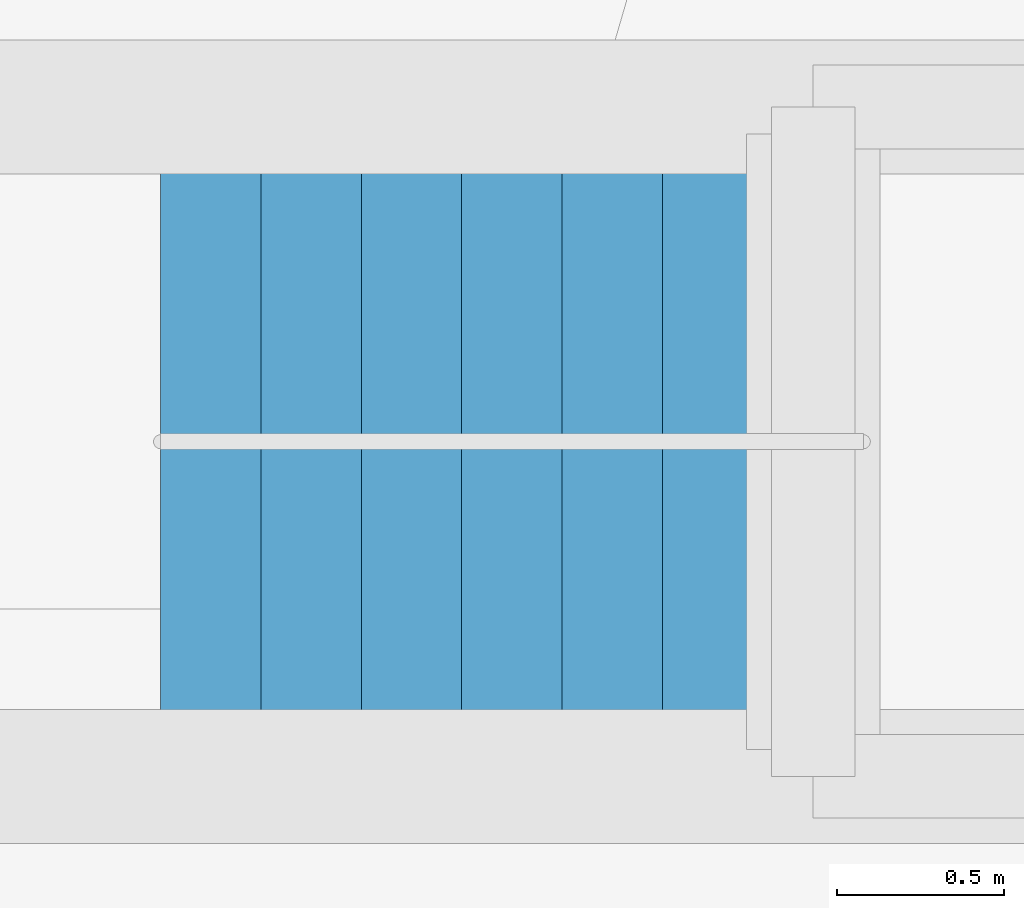
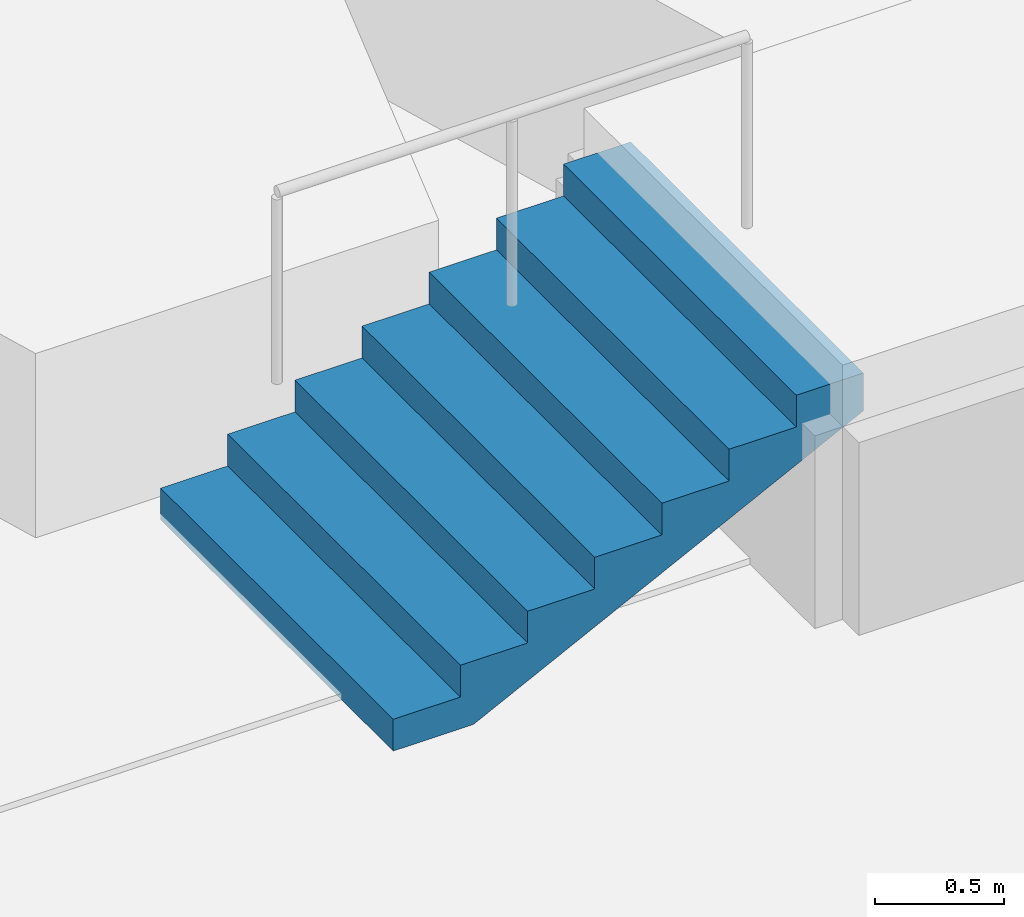
# One storey, part 74 of 90: 1 stair flight, 1 element without a shape of its own.
"""IFC4 building model written with IfcOpenShell, lengths in metres."""

import ifcopenshell
import ifcopenshell.guid

model = None  # the IFC model being written
_history = None  # IfcOwnerHistory: only IFC2X3 demands one
_inside = {}  # id of a spatial element -> (the spatial element, [elements in it])
_under = {}  # id of a project, library or spatial element -> (it, [spatial elements below it])
_declared = {}  # id of a project -> (the project, [libraries it declares])
_typed = {}  # id of a type object -> (the type object, [elements of that type])
_made_of = {}  # id of a material, layer set ... -> (it, [elements and type objects made of it])


def new_model(schema):
    """Start an empty IFC model of exactly this schema.

    Asked for "IFC4X3", IfcOpenShell would pick the latest addendum, in which some entities
    have other attributes; the version numbers below select the first issue.
    IFC2X3 requires an IfcOwnerHistory on every rooted entity: one is made here for all.
    """
    global model, _history
    if schema == "IFC4X3":
        model = ifcopenshell.file(schema_version=(4, 3, 0, 0))
    else:
        model = ifcopenshell.file(schema=schema)
    _inside.clear()
    _under.clear()
    _declared.clear()
    _typed.clear()
    _made_of.clear()
    _history = None
    if model.schema == "IFC2X3":
        org = make("IfcOrganization", Name="unknown")
        user = make(
            "IfcPersonAndOrganization",
            ThePerson=make("IfcPerson", FamilyName="unknown"),
            TheOrganization=org,
        )
        app = make(
            "IfcApplication",
            ApplicationDeveloper=org,
            Version="unknown",
            ApplicationFullName="unknown",
            ApplicationIdentifier="unknown",
        )
        _history = make(
            "IfcOwnerHistory",
            OwningUser=user,
            OwningApplication=app,
            ChangeAction="ADDED",
            CreationDate=0,
        )
    return model


def make(cls, **values):
    """One entity of the class cls with the attributes given. An attribute that is None is left unset."""
    return model.create_entity(
        cls, **{name: value for name, value in values.items() if value is not None}
    )


def rooted(cls, **values):
    """An entity with a GlobalId (a new one), such as an element, a storey or a relation."""
    return make(cls, GlobalId=ifcopenshell.guid.new(), OwnerHistory=_history, **values)


def si_unit(unit_type, name, prefix=None):
    """IfcSIUnit, for example si_unit("LENGTHUNIT", "METRE", prefix="MILLI")."""
    return make("IfcSIUnit", UnitType=unit_type, Prefix=prefix, Name=name)


def assignment(units):
    """IfcUnitAssignment: the units of a project."""
    return None if units is None else make("IfcUnitAssignment", Units=units)


def point(xyz):
    """IfcCartesianPoint."""
    return None if xyz is None else make("IfcCartesianPoint", Coordinates=xyz)


def direction(xyz):
    """IfcDirection."""
    return None if xyz is None else make("IfcDirection", DirectionRatios=xyz)


def frame(location, z_axis=None, x_axis=None):
    """IfcAxis2Placement3D, a coordinate frame: its origin and axes. An axis left out is left unset."""
    return make(
        "IfcAxis2Placement3D",
        Location=point(location),
        Axis=direction(z_axis),
        RefDirection=direction(x_axis),
    )


def origin():
    """The frame at (0, 0, 0) with its axes left unset."""
    return frame((0.0, 0.0, 0.0))


def place(relative_to, where):
    """IfcLocalPlacement: puts the frame where relative to a parent placement (None: the world)."""
    return make(
        "IfcLocalPlacement", PlacementRelTo=relative_to, RelativePlacement=where
    )


def context(
    kind, dimensions, precision=None, world=None, true_north=None, identifier=None
):
    """IfcGeometricRepresentationContext, for example the 3D "Model" context."""
    return make(
        "IfcGeometricRepresentationContext",
        ContextIdentifier=identifier,
        ContextType=kind,
        CoordinateSpaceDimension=dimensions,
        Precision=precision,
        WorldCoordinateSystem=world,
        TrueNorth=true_north,
    )


def subcontext(parent, identifier, kind, view, scale=None):
    """IfcGeometricRepresentationSubContext, for example "Body" below "Model"."""
    return make(
        "IfcGeometricRepresentationSubContext",
        ContextIdentifier=identifier,
        ContextType=kind,
        ParentContext=parent,
        TargetScale=scale,
        TargetView=view,
    )


def project(units=None, contexts=None):
    """IfcProject with its units and contexts."""
    return rooted(
        "IfcProject",
        Name="project",
        RepresentationContexts=contexts,
        UnitsInContext=assignment(units),
    )


def spatial(cls, under=None, at=None, **own):
    """A site, building, storey or space (cls), placed at a placement, below another one or the project."""
    s = rooted(cls, ObjectPlacement=at, **own)
    if under is not None:
        _under.setdefault(under.id(), (under, []))[1].append(s)
    return s


def point_list(points):
    """IfcCartesianPointList2D or 3D."""
    cls = (
        "IfcCartesianPointList2D" if len(points[0]) == 2 else "IfcCartesianPointList3D"
    )
    return make(cls, CoordList=points)


def triangles(points, corners, closed=None, point_numbers=None):
    """IfcTriangulatedFaceSet: each triangle names its three corners, points numbered from 1."""
    return make(
        "IfcTriangulatedFaceSet",
        Coordinates=point_list(points),
        Closed=closed,
        CoordIndex=corners,
        PnIndex=point_numbers,
    )


def shape(context_of_items, identifier, shape_type, items):
    """IfcShapeRepresentation: the items that make up one representation, for example the "Body"."""
    return make(
        "IfcShapeRepresentation",
        ContextOfItems=context_of_items,
        RepresentationIdentifier=identifier,
        RepresentationType=shape_type,
        Items=items,
    )


def material(Name=None, Category=None):
    """IfcMaterial."""
    return make("IfcMaterial", Name=Name, Category=Category)


def layer(
    of_material, thickness, ventilated=None, Name=None, Category=None, Priority=None
):
    """IfcMaterialLayer: one layer of a wall or slab, of a material (None: an air gap)."""
    return make(
        "IfcMaterialLayer",
        Material=of_material,
        LayerThickness=thickness,
        IsVentilated=ventilated,
        Name=Name,
        Category=Category,
        Priority=Priority,
    )


def layer_set(layers, Name=None):
    """IfcMaterialLayerSet."""
    return make("IfcMaterialLayerSet", MaterialLayers=layers, LayerSetName=Name)


def made_of(thing, what):
    """Note that an element or type object is made of a material, layer set ...; save() writes the relation."""
    if what is not None:
        _made_of.setdefault(what.id(), (what, []))[1].append(thing)
    return thing


def type_object(cls, material=None, **own):
    """A type object (cls), such as IfcWallType, which elements share."""
    return made_of(rooted(cls, **own), material)


def element(
    cls,
    number,
    at=None,
    inside=None,
    cuts=None,
    type_object=None,
    material=None,
    context=None,
    identifier="Body",
    shape_type=None,
    held_by="IfcProductDefinitionShape",
    body=None,
    shapes=None,
    **own,
):
    """One element of the class cls, such as IfcWall. Its Tag is "e" and its number.

    at: its placement. inside: the storey or other place that contains it. cuts: it is an
    opening in that element (IfcRelVoidsElement). A single representation is given by context,
    identifier, shape_type and body (its items); several are given by shapes. held_by: the class
    of the entity that holds the representations. save() writes the other relations.
    """
    e = rooted(cls, Tag="e%d" % number, ObjectPlacement=at, **own)
    if body is not None:
        shapes = [shape(context, identifier, shape_type, body)]
    if shapes is not None:
        e.Representation = make(held_by, Representations=shapes)
    if inside is not None:
        _inside.setdefault(inside.id(), (inside, []))[1].append(e)
    if cuts is not None:
        rooted(
            "IfcRelVoidsElement", RelatingBuildingElement=cuts, RelatedOpeningElement=e
        )
    if type_object is not None:
        _typed.setdefault(type_object.id(), (type_object, []))[1].append(e)
    return made_of(e, material)


def aggregate(whole, parts):
    """IfcRelAggregates: a whole, such as a stair, and the parts it consists of."""
    return rooted("IfcRelAggregates", RelatingObject=whole, RelatedObjects=parts)


def save(model, path):
    """Write the relations noted so far, then the file.

    IfcRelAggregates (storeys below a building ...), IfcRelContainedInSpatialStructure (elements
    in a storey), IfcRelDefinesByType, IfcRelAssociatesMaterial and IfcRelDeclares: one each for
    every whole, place, type object, material and project.
    """
    for whole, parts in _under.values():
        aggregate(whole, parts)
    for where, things in _inside.values():
        rooted(
            "IfcRelContainedInSpatialStructure",
            RelatedElements=things,
            RelatingStructure=where,
        )
    for kind, things in _typed.values():
        rooted("IfcRelDefinesByType", RelatedObjects=things, RelatingType=kind)
    for what, things in _made_of.values():
        rooted("IfcRelAssociatesMaterial", RelatedObjects=things, RelatingMaterial=what)
    for by, libraries in _declared.values():
        rooted("IfcRelDeclares", RelatingContext=by, RelatedDefinitions=libraries)
    model.write(path)


model = new_model("IFC4")

# Units and contexts
model_context = context("Model", 3, precision=1e-05, world=origin(), true_north=direction((0.0, 1.0)))
body_context = subcontext(model_context, "Body", "Model", "MODEL_VIEW")
ifc_project = project(units=[si_unit("LENGTHUNIT", "METRE"), si_unit("AREAUNIT", "SQUARE_METRE"), si_unit("VOLUMEUNIT", "CUBIC_METRE"), si_unit("PLANEANGLEUNIT", "RADIAN"), si_unit("MASSUNIT", "GRAM", prefix="KILO")], contexts=[model_context])

# Site, building, storey
site_placement = place(None, origin())
site = spatial("IfcSite", under=ifc_project, at=site_placement, CompositionType="ELEMENT")
building_placement = place(site_placement, origin())
building = spatial("IfcBuilding", under=site, at=building_placement, Name="Solvikara Media Centre", CompositionType="ELEMENT")
storey_placement = place(building_placement, origin())
storey = spatial("IfcBuildingStorey", under=building, at=storey_placement, Name="L00", CompositionType="ELEMENT", Elevation=0.0)

# Stair, stair flight
ifc_material = material(Name="Concrete fc' 35 MPa (C35/45)", Category="concrete")
stair_type = type_object("IfcStairType", Name="SR-07", PredefinedType="STRAIGHT_RUN_STAIR", material=ifc_material)
stair_placement = place(storey_placement, origin())
stair = element("IfcStair", 1, at=stair_placement, inside=storey, type_object=stair_type, Name="ST-GC-AISLE", PredefinedType="STRAIGHT_RUN_STAIR")
ifc_layer = layer(ifc_material, 0.159912109375)
ifc_layer_set = layer_set([ifc_layer], Name="Concrete fc' 35 MPa (C35/45)")
stair_flight_type = type_object("IfcStairFlightType", Name="SF-07", PredefinedType="STRAIGHT", material=ifc_layer_set)
stair_flight_placement = place(storey_placement, frame((12.60009765625, 4.0, 0.0), z_axis=(0.0, 0.0, 1.0), x_axis=(1.0, 0.0, 0.0)))
stair_flight = element("IfcStairFlight", 2, at=stair_flight_placement, type_object=stair_flight_type, Name="ST-GC-AISLE-F1", NumberOfRisers=8, NumberOfTreads=7, PredefinedType="STRAIGHT", RiserHeight=0.15, TreadLength=0.3, context=body_context, shape_type="Tessellation", body=[
    triangles([(0.357666015625, -0.9000244140625, 0.0), (2.10009765625, -0.9000244140625, 0.87109375), (2.10009765625, -0.9000244140625, 1.050048828125), (1.800048828125, -0.9000244140625, 1.050048828125), (1.800048828125, -0.9000244140625, 0.89990234375), (1.5, -0.9000244140625, 0.89990234375), (1.5, -0.9000244140625, 0.75), (1.199951171875, -0.9000244140625, 0.75), (1.199951171875, -0.9000244140625, 0.60009765625), (0.89990234375, -0.9000244140625, 0.60009765625), (0.89990234375, -0.9000244140625, 0.449951171875), (0.60009765625, -0.9000244140625, 0.449951171875), (0.60009765625, -0.9000244140625, 0.300048828125), (0.300048828125, -0.9000244140625, 0.300048828125), (0.300048828125, -0.9000244140625, 0.14990234375), (0.0, -0.9000244140625, 0.14990234375), (0.0, -0.9000244140625, 0.0), (0.357666015625, -0.675018310546875, 0.0), (2.10009765625, -0.675018310546875, 0.87109375), (2.10009765625, -0.675018310546875, 1.050048828125), (1.800048828125, -0.675018310546875, 1.050048828125), (1.800048828125, -0.675018310546875, 0.89990234375), (1.5, -0.675018310546875, 0.89990234375), (1.5, -0.675018310546875, 0.75), (1.199951171875, -0.675018310546875, 0.75), (1.199951171875, -0.675018310546875, 0.60009765625), (0.89990234375, -0.675018310546875, 0.60009765625), (0.89990234375, -0.675018310546875, 0.449951171875), (0.60009765625, -0.675018310546875, 0.449951171875), (0.60009765625, -0.675018310546875, 0.300048828125), (0.300048828125, -0.675018310546875, 0.300048828125), (0.300048828125, -0.675018310546875, 0.14990234375), (0.0, -0.675018310546875, 0.14990234375), (0.0, -0.675018310546875, 0.0), (0.357666015625, -0.45001220703125, 0.0), (2.10009765625, -0.45001220703125, 0.87109375), (2.10009765625, -0.45001220703125, 1.050048828125), (1.800048828125, -0.45001220703125, 1.050048828125), (1.800048828125, -0.45001220703125, 0.89990234375), (1.5, -0.45001220703125, 0.89990234375), (1.5, -0.45001220703125, 0.75), (1.199951171875, -0.45001220703125, 0.75), (1.199951171875, -0.45001220703125, 0.60009765625), (0.89990234375, -0.45001220703125, 0.60009765625), (0.89990234375, -0.45001220703125, 0.449951171875), (0.60009765625, -0.45001220703125, 0.449951171875), (0.60009765625, -0.45001220703125, 0.300048828125), (0.300048828125, -0.45001220703125, 0.300048828125), (0.300048828125, -0.45001220703125, 0.14990234375), (0.0, -0.45001220703125, 0.14990234375), (0.0, -0.45001220703125, 0.0), (0.357666015625, -0.225006103515625, 0.0), (2.10009765625, -0.225006103515625, 0.87109375), (2.10009765625, -0.225006103515625, 1.050048828125), (1.800048828125, -0.225006103515625, 1.050048828125), (1.800048828125, -0.225006103515625, 0.89990234375), (1.5, -0.225006103515625, 0.89990234375), (1.5, -0.225006103515625, 0.75), (1.199951171875, -0.225006103515625, 0.75), (1.199951171875, -0.225006103515625, 0.60009765625), (0.89990234375, -0.225006103515625, 0.60009765625), (0.89990234375, -0.225006103515625, 0.449951171875), (0.60009765625, -0.225006103515625, 0.449951171875), (0.60009765625, -0.225006103515625, 0.300048828125), (0.300048828125, -0.225006103515625, 0.300048828125), (0.300048828125, -0.225006103515625, 0.14990234375), (0.0, -0.225006103515625, 0.14990234375), (0.0, -0.225006103515625, 0.0), (0.357666015625, 0.0, 0.0), (2.10009765625, 0.0, 0.87109375), (2.10009765625, 0.0, 1.050048828125), (1.800048828125, 0.0, 1.050048828125), (1.800048828125, 0.0, 0.89990234375), (1.5, 0.0, 0.89990234375), (1.5, 0.0, 0.75), (1.199951171875, 0.0, 0.75), (1.199951171875, 0.0, 0.60009765625), (0.89990234375, 0.0, 0.60009765625), (0.89990234375, 0.0, 0.449951171875), (0.60009765625, 0.0, 0.449951171875), (0.60009765625, 0.0, 0.300048828125), (0.300048828125, 0.0, 0.300048828125), (0.300048828125, 0.0, 0.14990234375), (0.0, 0.0, 0.14990234375), (0.0, 0.0, 0.0), (0.357666015625, 0.225006103515625, 0.0), (2.10009765625, 0.225006103515625, 0.87109375), (2.10009765625, 0.225006103515625, 1.050048828125), (1.800048828125, 0.225006103515625, 1.050048828125), (1.800048828125, 0.225006103515625, 0.89990234375), (1.5, 0.225006103515625, 0.89990234375), (1.5, 0.225006103515625, 0.75), (1.199951171875, 0.225006103515625, 0.75), (1.199951171875, 0.225006103515625, 0.60009765625), (0.89990234375, 0.225006103515625, 0.60009765625), (0.89990234375, 0.225006103515625, 0.449951171875), (0.60009765625, 0.225006103515625, 0.449951171875), (0.60009765625, 0.225006103515625, 0.300048828125), (0.300048828125, 0.225006103515625, 0.300048828125), (0.300048828125, 0.225006103515625, 0.14990234375), (0.0, 0.225006103515625, 0.14990234375), (0.0, 0.225006103515625, 0.0), (0.357666015625, 0.45001220703125, 0.0), (2.10009765625, 0.45001220703125, 0.87109375), (2.10009765625, 0.45001220703125, 1.050048828125), (1.800048828125, 0.45001220703125, 1.050048828125), (1.800048828125, 0.45001220703125, 0.89990234375), (1.5, 0.45001220703125, 0.89990234375), (1.5, 0.45001220703125, 0.75), (1.199951171875, 0.45001220703125, 0.75), (1.199951171875, 0.45001220703125, 0.60009765625), (0.89990234375, 0.45001220703125, 0.60009765625), (0.89990234375, 0.45001220703125, 0.449951171875), (0.60009765625, 0.45001220703125, 0.449951171875), (0.60009765625, 0.45001220703125, 0.300048828125), (0.300048828125, 0.45001220703125, 0.300048828125), (0.300048828125, 0.45001220703125, 0.14990234375), (0.0, 0.45001220703125, 0.14990234375), (0.0, 0.45001220703125, 0.0), (0.357666015625, 0.675018310546875, 0.0), (2.10009765625, 0.675018310546875, 0.87109375), (2.10009765625, 0.675018310546875, 1.050048828125), (1.800048828125, 0.675018310546875, 1.050048828125), (1.800048828125, 0.675018310546875, 0.89990234375), (1.5, 0.675018310546875, 0.89990234375), (1.5, 0.675018310546875, 0.75), (1.199951171875, 0.675018310546875, 0.75), (1.199951171875, 0.675018310546875, 0.60009765625), (0.89990234375, 0.675018310546875, 0.60009765625), (0.89990234375, 0.675018310546875, 0.449951171875), (0.60009765625, 0.675018310546875, 0.449951171875), (0.60009765625, 0.675018310546875, 0.300048828125), (0.300048828125, 0.675018310546875, 0.300048828125), (0.300048828125, 0.675018310546875, 0.14990234375), (0.0, 0.675018310546875, 0.14990234375), (0.0, 0.675018310546875, 0.0), (0.357666015625, 0.9000244140625, 0.0), (2.10009765625, 0.9000244140625, 0.87109375), (2.10009765625, 0.9000244140625, 1.050048828125), (1.800048828125, 0.9000244140625, 1.050048828125), (1.800048828125, 0.9000244140625, 0.89990234375), (1.5, 0.9000244140625, 0.89990234375), (1.5, 0.9000244140625, 0.75), (1.199951171875, 0.9000244140625, 0.75), (1.199951171875, 0.9000244140625, 0.60009765625), (0.89990234375, 0.9000244140625, 0.60009765625), (0.89990234375, 0.9000244140625, 0.449951171875), (0.60009765625, 0.9000244140625, 0.449951171875), (0.60009765625, 0.9000244140625, 0.300048828125), (0.300048828125, 0.9000244140625, 0.300048828125), (0.300048828125, 0.9000244140625, 0.14990234375), (0.0, 0.9000244140625, 0.14990234375), (0.0, 0.9000244140625, 0.0), (1.2288818359375, -0.7875213623046875, 0.435546875), (2.10009765625, -0.7875213623046875, 0.9605712890625), (1.9500732421875, -0.7875213623046875, 1.050048828125), (1.800048828125, -0.7875213623046875, 0.9749755859375), (1.6500244140625, -0.7875213623046875, 0.89990234375), (1.5, -0.7875213623046875, 0.824951171875), (1.3499755859375, -0.7875213623046875, 0.75), (1.199951171875, -0.7875213623046875, 0.675048828125), (1.0499267578125, -0.7875213623046875, 0.60009765625), (0.89990234375, -0.7875213623046875, 0.5250244140625), (0.75, -0.7875213623046875, 0.449951171875), (0.60009765625, -0.7875213623046875, 0.375), (0.4500732421875, -0.7875213623046875, 0.300048828125), (0.300048828125, -0.7875213623046875, 0.2249755859375), (0.1500244140625, -0.7875213623046875, 0.14990234375), (0.0, -0.7875213623046875, 0.074951171875), (0.1788330078125, -0.7875213623046875, 0.0), (1.2288818359375, -0.5625152587890625, 0.435546875), (2.10009765625, -0.5625152587890625, 0.9605712890625), (1.9500732421875, -0.5625152587890625, 1.050048828125), (1.800048828125, -0.5625152587890625, 0.9749755859375), (1.6500244140625, -0.5625152587890625, 0.89990234375), (1.5, -0.5625152587890625, 0.824951171875), (1.3499755859375, -0.5625152587890625, 0.75), (1.199951171875, -0.5625152587890625, 0.675048828125), (1.0499267578125, -0.5625152587890625, 0.60009765625), (0.89990234375, -0.5625152587890625, 0.5250244140625), (0.75, -0.5625152587890625, 0.449951171875), (0.60009765625, -0.5625152587890625, 0.375), (0.4500732421875, -0.5625152587890625, 0.300048828125), (0.300048828125, -0.5625152587890625, 0.2249755859375), (0.1500244140625, -0.5625152587890625, 0.14990234375), (0.0, -0.5625152587890625, 0.074951171875), (0.1788330078125, -0.5625152587890625, 0.0), (1.2288818359375, -0.3375091552734375, 0.435546875), (2.10009765625, -0.3375091552734375, 0.9605712890625), (1.9500732421875, -0.3375091552734375, 1.050048828125), (1.800048828125, -0.3375091552734375, 0.9749755859375), (1.6500244140625, -0.3375091552734375, 0.89990234375), (1.5, -0.3375091552734375, 0.824951171875), (1.3499755859375, -0.3375091552734375, 0.75), (1.199951171875, -0.3375091552734375, 0.675048828125), (1.0499267578125, -0.3375091552734375, 0.60009765625), (0.89990234375, -0.3375091552734375, 0.5250244140625), (0.75, -0.3375091552734375, 0.449951171875), (0.60009765625, -0.3375091552734375, 0.375), (0.4500732421875, -0.3375091552734375, 0.300048828125), (0.300048828125, -0.3375091552734375, 0.2249755859375), (0.1500244140625, -0.3375091552734375, 0.14990234375), (0.0, -0.3375091552734375, 0.074951171875), (0.1788330078125, -0.3375091552734375, 0.0), (1.2288818359375, -0.1125030517578125, 0.435546875), (2.10009765625, -0.1125030517578125, 0.9605712890625), (1.9500732421875, -0.1125030517578125, 1.050048828125), (1.800048828125, -0.1125030517578125, 0.9749755859375), (1.6500244140625, -0.1125030517578125, 0.89990234375), (1.5, -0.1125030517578125, 0.824951171875), (1.3499755859375, -0.1125030517578125, 0.75), (1.199951171875, -0.1125030517578125, 0.675048828125), (1.0499267578125, -0.1125030517578125, 0.60009765625), (0.89990234375, -0.1125030517578125, 0.5250244140625), (0.75, -0.1125030517578125, 0.449951171875), (0.60009765625, -0.1125030517578125, 0.375), (0.4500732421875, -0.1125030517578125, 0.300048828125), (0.300048828125, -0.1125030517578125, 0.2249755859375), (0.1500244140625, -0.1125030517578125, 0.14990234375), (0.0, -0.1125030517578125, 0.074951171875), (0.1788330078125, -0.1125030517578125, 0.0), (1.2288818359375, 0.1125030517578125, 0.435546875), (2.10009765625, 0.1125030517578125, 0.9605712890625), (1.9500732421875, 0.1125030517578125, 1.050048828125), (1.800048828125, 0.1125030517578125, 0.9749755859375), (1.6500244140625, 0.1125030517578125, 0.89990234375), (1.5, 0.1125030517578125, 0.824951171875), (1.3499755859375, 0.1125030517578125, 0.75), (1.199951171875, 0.1125030517578125, 0.675048828125), (1.0499267578125, 0.1125030517578125, 0.60009765625), (0.89990234375, 0.1125030517578125, 0.5250244140625), (0.75, 0.1125030517578125, 0.449951171875), (0.60009765625, 0.1125030517578125, 0.375), (0.4500732421875, 0.1125030517578125, 0.300048828125), (0.300048828125, 0.1125030517578125, 0.2249755859375), (0.1500244140625, 0.1125030517578125, 0.14990234375), (0.0, 0.1125030517578125, 0.074951171875), (0.1788330078125, 0.1125030517578125, 0.0), (1.2288818359375, 0.3375091552734375, 0.435546875), (2.10009765625, 0.3375091552734375, 0.9605712890625), (1.9500732421875, 0.3375091552734375, 1.050048828125), (1.800048828125, 0.3375091552734375, 0.9749755859375), (1.6500244140625, 0.3375091552734375, 0.89990234375), (1.5, 0.3375091552734375, 0.824951171875), (1.3499755859375, 0.3375091552734375, 0.75), (1.199951171875, 0.3375091552734375, 0.675048828125), (1.0499267578125, 0.3375091552734375, 0.60009765625), (0.89990234375, 0.3375091552734375, 0.5250244140625), (0.75, 0.3375091552734375, 0.449951171875), (0.60009765625, 0.3375091552734375, 0.375), (0.4500732421875, 0.3375091552734375, 0.300048828125), (0.300048828125, 0.3375091552734375, 0.2249755859375), (0.1500244140625, 0.3375091552734375, 0.14990234375), (0.0, 0.3375091552734375, 0.074951171875), (0.1788330078125, 0.3375091552734375, 0.0), (1.2288818359375, 0.5625152587890625, 0.435546875), (2.10009765625, 0.5625152587890625, 0.9605712890625), (1.9500732421875, 0.5625152587890625, 1.050048828125), (1.800048828125, 0.5625152587890625, 0.9749755859375), (1.6500244140625, 0.5625152587890625, 0.89990234375), (1.5, 0.5625152587890625, 0.824951171875), (1.3499755859375, 0.5625152587890625, 0.75), (1.199951171875, 0.5625152587890625, 0.675048828125), (1.0499267578125, 0.5625152587890625, 0.60009765625), (0.89990234375, 0.5625152587890625, 0.5250244140625), (0.75, 0.5625152587890625, 0.449951171875), (0.60009765625, 0.5625152587890625, 0.375), (0.4500732421875, 0.5625152587890625, 0.300048828125), (0.300048828125, 0.5625152587890625, 0.2249755859375), (0.1500244140625, 0.5625152587890625, 0.14990234375), (0.0, 0.5625152587890625, 0.074951171875), (0.1788330078125, 0.5625152587890625, 0.0), (1.2288818359375, 0.7875213623046875, 0.435546875), (2.10009765625, 0.7875213623046875, 0.9605712890625), (1.9500732421875, 0.7875213623046875, 1.050048828125), (1.800048828125, 0.7875213623046875, 0.9749755859375), (1.6500244140625, 0.7875213623046875, 0.89990234375), (1.5, 0.7875213623046875, 0.824951171875), (1.3499755859375, 0.7875213623046875, 0.75), (1.199951171875, 0.7875213623046875, 0.675048828125), (1.0499267578125, 0.7875213623046875, 0.60009765625), (0.89990234375, 0.7875213623046875, 0.5250244140625), (0.75, 0.7875213623046875, 0.449951171875), (0.60009765625, 0.7875213623046875, 0.375), (0.4500732421875, 0.7875213623046875, 0.300048828125), (0.300048828125, 0.7875213623046875, 0.2249755859375), (0.1500244140625, 0.7875213623046875, 0.14990234375), (0.0, 0.7875213623046875, 0.074951171875), (0.1788330078125, 0.7875213623046875, 0.0)], [[1, 18, 154], [18, 19, 154], [19, 2, 154], [2, 1, 154], [2, 19, 155], [19, 20, 155], [20, 3, 155], [3, 2, 155], [3, 20, 156], [20, 21, 156], [21, 4, 156], [4, 3, 156], [4, 21, 157], [21, 22, 157], [22, 5, 157], [5, 4, 157], [5, 22, 158], [22, 23, 158], [23, 6, 158], [6, 5, 158], [6, 23, 159], [23, 24, 159], [24, 7, 159], [7, 6, 159], [7, 24, 160], [24, 25, 160], [25, 8, 160], [8, 7, 160], [8, 25, 161], [25, 26, 161], [26, 9, 161], [9, 8, 161], [9, 26, 162], [26, 27, 162], [27, 10, 162], [10, 9, 162], [10, 27, 163], [27, 28, 163], [28, 11, 163], [11, 10, 163], [11, 28, 164], [28, 29, 164], [29, 12, 164], [12, 11, 164], [12, 29, 165], [29, 30, 165], [30, 13, 165], [13, 12, 165], [13, 30, 166], [30, 31, 166], [31, 14, 166], [14, 13, 166], [14, 31, 167], [31, 32, 167], [32, 15, 167], [15, 14, 167], [15, 32, 168], [32, 33, 168], [33, 16, 168], [16, 15, 168], [16, 33, 169], [33, 34, 169], [34, 17, 169], [17, 16, 169], [17, 34, 170], [34, 18, 170], [18, 1, 170], [1, 17, 170], [18, 35, 171], [35, 36, 171], [36, 19, 171], [19, 18, 171], [19, 36, 172], [36, 37, 172], [37, 20, 172], [20, 19, 172], [20, 37, 173], [37, 38, 173], [38, 21, 173], [21, 20, 173], [21, 38, 174], [38, 39, 174], [39, 22, 174], [22, 21, 174], [22, 39, 175], [39, 40, 175], [40, 23, 175], [23, 22, 175], [23, 40, 176], [40, 41, 176], [41, 24, 176], [24, 23, 176], [24, 41, 177], [41, 42, 177], [42, 25, 177], [25, 24, 177], [25, 42, 178], [42, 43, 178], [43, 26, 178], [26, 25, 178], [26, 43, 179], [43, 44, 179], [44, 27, 179], [27, 26, 179], [27, 44, 180], [44, 45, 180], [45, 28, 180], [28, 27, 180], [28, 45, 181], [45, 46, 181], [46, 29, 181], [29, 28, 181], [29, 46, 182], [46, 47, 182], [47, 30, 182], [30, 29, 182], [30, 47, 183], [47, 48, 183], [48, 31, 183], [31, 30, 183], [31, 48, 184], [48, 49, 184], [49, 32, 184], [32, 31, 184], [32, 49, 185], [49, 50, 185], [50, 33, 185], [33, 32, 185], [33, 50, 186], [50, 51, 186], [51, 34, 186], [34, 33, 186], [34, 51, 187], [51, 35, 187], [35, 18, 187], [18, 34, 187], [35, 52, 188], [52, 53, 188], [53, 36, 188], [36, 35, 188], [36, 53, 189], [53, 54, 189], [54, 37, 189], [37, 36, 189], [37, 54, 190], [54, 55, 190], [55, 38, 190], [38, 37, 190], [38, 55, 191], [55, 56, 191], [56, 39, 191], [39, 38, 191], [39, 56, 192], [56, 57, 192], [57, 40, 192], [40, 39, 192], [40, 57, 193], [57, 58, 193], [58, 41, 193], [41, 40, 193], [41, 58, 194], [58, 59, 194], [59, 42, 194], [42, 41, 194], [42, 59, 195], [59, 60, 195], [60, 43, 195], [43, 42, 195], [43, 60, 196], [60, 61, 196], [61, 44, 196], [44, 43, 196], [44, 61, 197], [61, 62, 197], [62, 45, 197], [45, 44, 197], [45, 62, 198], [62, 63, 198], [63, 46, 198], [46, 45, 198], [46, 63, 199], [63, 64, 199], [64, 47, 199], [47, 46, 199], [47, 64, 200], [64, 65, 200], [65, 48, 200], [48, 47, 200], [48, 65, 201], [65, 66, 201], [66, 49, 201], [49, 48, 201], [49, 66, 202], [66, 67, 202], [67, 50, 202], [50, 49, 202], [50, 67, 203], [67, 68, 203], [68, 51, 203], [51, 50, 203], [51, 68, 204], [68, 52, 204], [52, 35, 204], [35, 51, 204], [52, 69, 205], [69, 70, 205], [70, 53, 205], [53, 52, 205], [53, 70, 206], [70, 71, 206], [71, 54, 206], [54, 53, 206], [54, 71, 207], [71, 72, 207], [72, 55, 207], [55, 54, 207], [55, 72, 208], [72, 73, 208], [73, 56, 208], [56, 55, 208], [56, 73, 209], [73, 74, 209], [74, 57, 209], [57, 56, 209], [57, 74, 210], [74, 75, 210], [75, 58, 210], [58, 57, 210], [58, 75, 211], [75, 76, 211], [76, 59, 211], [59, 58, 211], [59, 76, 212], [76, 77, 212], [77, 60, 212], [60, 59, 212], [60, 77, 213], [77, 78, 213], [78, 61, 213], [61, 60, 213], [61, 78, 214], [78, 79, 214], [79, 62, 214], [62, 61, 214], [62, 79, 215], [79, 80, 215], [80, 63, 215], [63, 62, 215], [63, 80, 216], [80, 81, 216], [81, 64, 216], [64, 63, 216], [64, 81, 217], [81, 82, 217], [82, 65, 217], [65, 64, 217], [65, 82, 218], [82, 83, 218], [83, 66, 218], [66, 65, 218], [66, 83, 219], [83, 84, 219], [84, 67, 219], [67, 66, 219], [67, 84, 220], [84, 85, 220], [85, 68, 220], [68, 67, 220], [68, 85, 221], [85, 69, 221], [69, 52, 221], [52, 68, 221], [69, 86, 222], [86, 87, 222], [87, 70, 222], [70, 69, 222], [70, 87, 223], [87, 88, 223], [88, 71, 223], [71, 70, 223], [71, 88, 224], [88, 89, 224], [89, 72, 224], [72, 71, 224], [72, 89, 225], [89, 90, 225], [90, 73, 225], [73, 72, 225], [73, 90, 226], [90, 91, 226], [91, 74, 226], [74, 73, 226], [74, 91, 227], [91, 92, 227], [92, 75, 227], [75, 74, 227], [75, 92, 228], [92, 93, 228], [93, 76, 228], [76, 75, 228], [76, 93, 229], [93, 94, 229], [94, 77, 229], [77, 76, 229], [77, 94, 230], [94, 95, 230], [95, 78, 230], [78, 77, 230], [78, 95, 231], [95, 96, 231], [96, 79, 231], [79, 78, 231], [79, 96, 232], [96, 97, 232], [97, 80, 232], [80, 79, 232], [80, 97, 233], [97, 98, 233], [98, 81, 233], [81, 80, 233], [81, 98, 234], [98, 99, 234], [99, 82, 234], [82, 81, 234], [82, 99, 235], [99, 100, 235], [100, 83, 235], [83, 82, 235], [83, 100, 236], [100, 101, 236], [101, 84, 236], [84, 83, 236], [84, 101, 237], [101, 102, 237], [102, 85, 237], [85, 84, 237], [85, 102, 238], [102, 86, 238], [86, 69, 238], [69, 85, 238], [86, 103, 239], [103, 104, 239], [104, 87, 239], [87, 86, 239], [87, 104, 240], [104, 105, 240], [105, 88, 240], [88, 87, 240], [88, 105, 241], [105, 106, 241], [106, 89, 241], [89, 88, 241], [89, 106, 242], [106, 107, 242], [107, 90, 242], [90, 89, 242], [90, 107, 243], [107, 108, 243], [108, 91, 243], [91, 90, 243], [91, 108, 244], [108, 109, 244], [109, 92, 244], [92, 91, 244], [92, 109, 245], [109, 110, 245], [110, 93, 245], [93, 92, 245], [93, 110, 246], [110, 111, 246], [111, 94, 246], [94, 93, 246], [94, 111, 247], [111, 112, 247], [112, 95, 247], [95, 94, 247], [95, 112, 248], [112, 113, 248], [113, 96, 248], [96, 95, 248], [96, 113, 249], [113, 114, 249], [114, 97, 249], [97, 96, 249], [97, 114, 250], [114, 115, 250], [115, 98, 250], [98, 97, 250], [98, 115, 251], [115, 116, 251], [116, 99, 251], [99, 98, 251], [99, 116, 252], [116, 117, 252], [117, 100, 252], [100, 99, 252], [100, 117, 253], [117, 118, 253], [118, 101, 253], [101, 100, 253], [101, 118, 254], [118, 119, 254], [119, 102, 254], [102, 101, 254], [102, 119, 255], [119, 103, 255], [103, 86, 255], [86, 102, 255], [103, 120, 256], [120, 121, 256], [121, 104, 256], [104, 103, 256], [104, 121, 257], [121, 122, 257], [122, 105, 257], [105, 104, 257], [105, 122, 258], [122, 123, 258], [123, 106, 258], [106, 105, 258], [106, 123, 259], [123, 124, 259], [124, 107, 259], [107, 106, 259], [107, 124, 260], [124, 125, 260], [125, 108, 260], [108, 107, 260], [108, 125, 261], [125, 126, 261], [126, 109, 261], [109, 108, 261], [109, 126, 262], [126, 127, 262], [127, 110, 262], [110, 109, 262], [110, 127, 263], [127, 128, 263], [128, 111, 263], [111, 110, 263], [111, 128, 264], [128, 129, 264], [129, 112, 264], [112, 111, 264], [112, 129, 265], [129, 130, 265], [130, 113, 265], [113, 112, 265], [113, 130, 266], [130, 131, 266], [131, 114, 266], [114, 113, 266], [114, 131, 267], [131, 132, 267], [132, 115, 267], [115, 114, 267], [115, 132, 268], [132, 133, 268], [133, 116, 268], [116, 115, 268], [116, 133, 269], [133, 134, 269], [134, 117, 269], [117, 116, 269], [117, 134, 270], [134, 135, 270], [135, 118, 270], [118, 117, 270], [118, 135, 271], [135, 136, 271], [136, 119, 271], [119, 118, 271], [119, 136, 272], [136, 120, 272], [120, 103, 272], [103, 119, 272], [120, 137, 273], [137, 138, 273], [138, 121, 273], [121, 120, 273], [121, 138, 274], [138, 139, 274], [139, 122, 274], [122, 121, 274], [122, 139, 275], [139, 140, 275], [140, 123, 275], [123, 122, 275], [123, 140, 276], [140, 141, 276], [141, 124, 276], [124, 123, 276], [124, 141, 277], [141, 142, 277], [142, 125, 277], [125, 124, 277], [125, 142, 278], [142, 143, 278], [143, 126, 278], [126, 125, 278], [126, 143, 279], [143, 144, 279], [144, 127, 279], [127, 126, 279], [127, 144, 280], [144, 145, 280], [145, 128, 280], [128, 127, 280], [128, 145, 281], [145, 146, 281], [146, 129, 281], [129, 128, 281], [129, 146, 282], [146, 147, 282], [147, 130, 282], [130, 129, 282], [130, 147, 283], [147, 148, 283], [148, 131, 283], [131, 130, 283], [131, 148, 284], [148, 149, 284], [149, 132, 284], [132, 131, 284], [132, 149, 285], [149, 150, 285], [150, 133, 285], [133, 132, 285], [133, 150, 286], [150, 151, 286], [151, 134, 286], [134, 133, 286], [134, 151, 287], [151, 152, 287], [152, 135, 287], [135, 134, 287], [135, 152, 288], [152, 153, 288], [153, 136, 288], [136, 135, 288], [136, 153, 289], [153, 137, 289], [137, 120, 289], [120, 136, 289], [17, 1, 2], [153, 138, 137], [2, 3, 4], [138, 140, 139], [2, 4, 5], [138, 141, 140], [2, 5, 6], [138, 142, 141], [2, 6, 7], [138, 143, 142], [7, 8, 9], [143, 145, 144], [2, 7, 9], [138, 145, 143], [9, 10, 11], [145, 147, 146], [2, 9, 11], [138, 147, 145], [11, 12, 13], [147, 149, 148], [2, 11, 13], [138, 149, 147], [13, 14, 15], [149, 151, 150], [2, 13, 15], [138, 151, 149], [17, 2, 15], [153, 151, 138], [15, 16, 17], [151, 153, 152]], closed=True),
])
aggregate(stair, [stair_flight])

save(model, "model.ifc")
